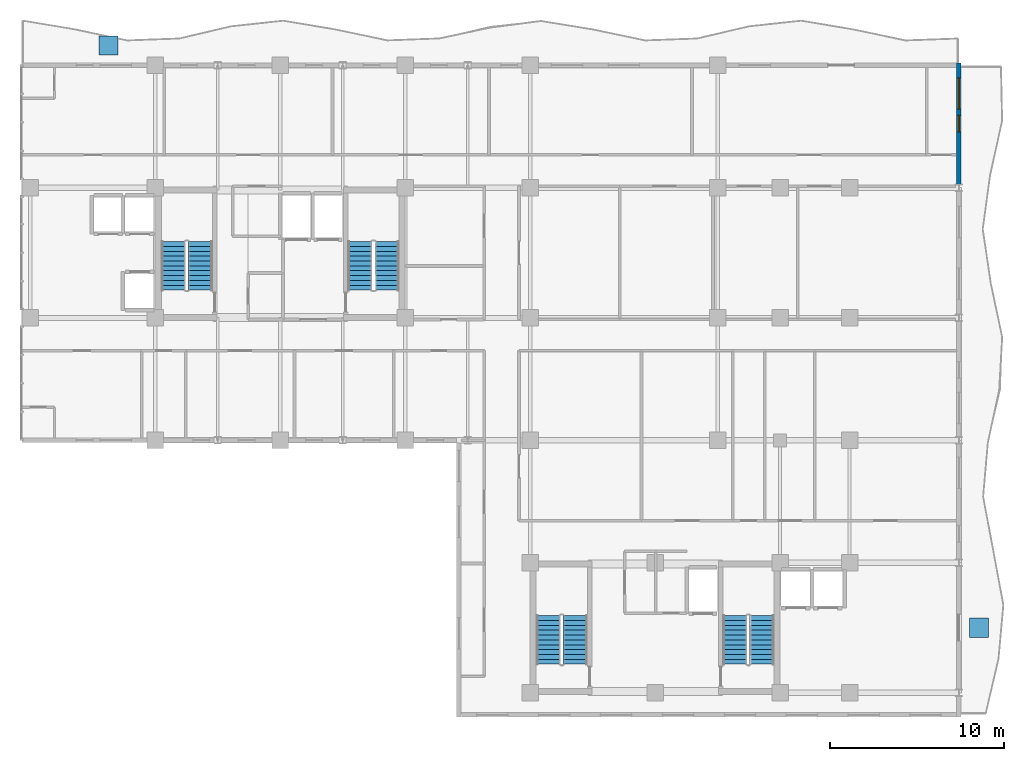
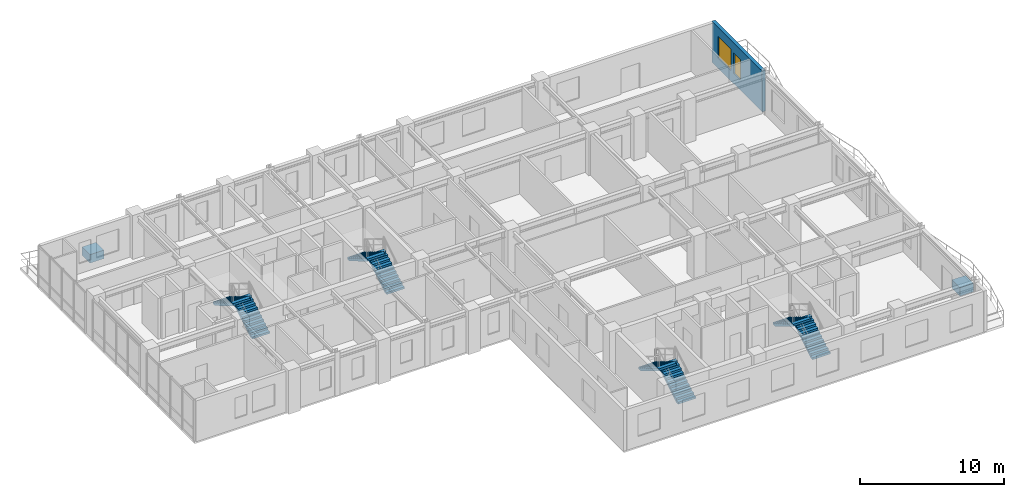
# One storey, part 17 of 20: 8 stair flights, 2 discrete accessories, 2 windows, 1 wall, 2 openings, 4 elements without a shape of their own.
"""IFC4 building model written with IfcOpenShell, lengths in metres."""

from ifc_helpers import new_model, si_unit, direction, frame, frame_2d, origin, origin_2d, place, context, subcontext, project, spatial, polyline, rectangle, outline, extrude, source, transform, mapped, material, layer, layer_set, type_object, element, fill, aggregate, save


model = new_model("IFC4")

# Units and contexts
model_context = context("Model", 3, precision=1e-05, world=origin(), true_north=direction((0.0, 1.0)))
body_context = subcontext(model_context, "Body", "Model", "MODEL_VIEW")
ifc_project = project(units=[si_unit("LENGTHUNIT", "METRE"), si_unit("AREAUNIT", "SQUARE_METRE"), si_unit("VOLUMEUNIT", "CUBIC_METRE"), si_unit("PLANEANGLEUNIT", "RADIAN"), si_unit("MASSUNIT", "GRAM", prefix="KILO")], contexts=[model_context])

# Site, building, storey
site_placement = place(None, origin())
site = spatial("IfcSite", under=ifc_project, at=site_placement, CompositionType="ELEMENT")
building_placement = place(site_placement, origin())
building = spatial("IfcBuilding", under=site, at=building_placement, Name="Kaliganga Portal Commons", CompositionType="ELEMENT")
storey_placement = place(building_placement, frame((0.0, 0.0, 216.60009765625)))
storey = spatial("IfcBuildingStorey", under=building, at=storey_placement, Name="L55", CompositionType="ELEMENT", Elevation=216.60009765625)

# Wall, openings, windows
ifc_material_1 = material(Name="Insulated Aluminium-Clad Spandrel Assembly", Category="aluminium")
ifc_layer = layer(ifc_material_1, 0.260009765625)
ifc_layer_set = layer_set([ifc_layer], Name="Insulated Aluminium-Clad Spandrel Assembly")
wall_type = type_object("IfcWallType", Name="WL-EXT-SPAND-260", PredefinedType="STANDARD", material=ifc_layer_set)
wall_placement = place(storey_placement, frame((60.699951171875, 43.330078125, 0.0), z_axis=(0.0, 0.0, 1.0), x_axis=(0.0, -1.0, 0.0)))
wall = element("IfcWall", 1, at=wall_placement, inside=storey, type_object=wall_type, Name="Exterior Envelope Wall L55 P1-E01-S6", PredefinedType="STANDARD", context=body_context, shape_type="SweptSolid", body=[
    extrude(rectangle(XDim=6.97900390625, YDim=0.260009765625, at=frame_2d((3.489501953125, 0.0))), origin(), (0.0, 0.0, 1.0), 3.449951171875),
])
opening_1_placement = place(wall_placement, frame((0.8447265625, 0.0, 0.85009765625)))
opening_1 = element("IfcOpeningElement", 2, at=opening_1_placement, cuts=wall, Name="Opening W-01", PredefinedType="OPENING", context=body_context, shape_type="SweptSolid", body=[
    extrude(rectangle(XDim=1.800048828125, YDim=1.85009765625, at=frame_2d((0.89990234375, 0.925048828125))), frame((0.0, 0.14013671875, 0.0), z_axis=(0.0, -1.0, 0.0), x_axis=(1.0, 0.0, 0.0)), (0.0, 0.0, 1.0), 0.280029296875),
])
opening_2_placement = place(wall_placement, frame((3.014404296875, 0.0, 0.85009765625)))
opening_2 = element("IfcOpeningElement", 3, at=opening_2_placement, cuts=wall, Name="Opening W-04", PredefinedType="OPENING", context=body_context, shape_type="SweptSolid", body=[
    extrude(rectangle(XDim=0.949951171875, YDim=1.75, at=frame_2d((0.47509765625, 0.875))), frame((0.0, 0.14013671875, 0.0), z_axis=(0.0, -1.0, 0.0), x_axis=(1.0, 0.0, 0.0)), (0.0, 0.0, 1.0), 0.280029296875),
])
ifc_material_2 = material(Name="Thermally Broken Aluminium and Low-E Double Glazing", Category="aluminium")
window_type_1 = type_object("IfcWindowType", Name="WIN-NARROW-950", PartitioningType="SINGLE_PANEL", PredefinedType="WINDOW", material=ifc_material_2)
window_1_placement = place(opening_2_placement, origin())
window_1 = element("IfcWindow", 4, at=window_1_placement, inside=storey, type_object=window_type_1, Name="Facade Window L55-P1E01S6-N0", OverallHeight=1.75, OverallWidth=0.949951171875, PartitioningType="SINGLE_PANEL", PredefinedType="WINDOW", context=body_context, shape_type="SweptSolid", body=[
    extrude(rectangle(XDim=0.949951171875, YDim=1.75, at=frame_2d((0.47509765625, 0.875))), frame((0.0, 0.030029296875, 0.0), z_axis=(0.0, -1.0, 0.0), x_axis=(1.0, 0.0, 0.0)), (0.0, 0.0, 1.0), 0.06005859375),
])
fill(opening_2, window_1)
window_type_2 = type_object("IfcWindowType", Name="WIN-STD-1800", PartitioningType="DOUBLE_PANEL_VERTICAL", PredefinedType="WINDOW", material=ifc_material_2)
window_2_placement = place(opening_1_placement, origin())
window_2 = element("IfcWindow", 5, at=window_2_placement, inside=storey, type_object=window_type_2, Name="Facade Window L55-P1E01S6-00", OverallHeight=1.85009765625, OverallWidth=1.800048828125, PartitioningType="SINGLE_PANEL", PredefinedType="WINDOW", context=body_context, shape_type="SweptSolid", body=[
    extrude(rectangle(XDim=1.800048828125, YDim=1.85009765625, at=frame_2d((0.89990234375, 0.925048828125))), frame((0.0, 0.030029296875, 0.0), z_axis=(0.0, -1.0, 0.0), x_axis=(1.0, 0.0, 0.0)), (0.0, 0.0, 1.0), 0.06005859375),
])
fill(opening_1, window_2)

# Stair, stair flights
ifc_material_3 = material(Name="Concrete C40/50", Category="concrete")
stair_type = type_object("IfcStairType", Name="ST-CORE-DOGLEG", PredefinedType="HALF_TURN_STAIR", material=ifc_material_3)
stair_1_placement = place(storey_placement, origin())
stair_1 = element("IfcStair", 6, at=stair_1_placement, inside=storey, type_object=stair_type, Name="L55 Protected Exit Stair ST-A1", PredefinedType="HALF_TURN_STAIR")
stair_flight_type = type_object("IfcStairFlightType", Name="STF-RC-1400", PredefinedType="STRAIGHT", material=ifc_material_3)
stair_flight_1_placement = place(storey_placement, frame((17.0, 30.25, 0.0), z_axis=(0.0, 0.0, 1.0), x_axis=(0.0, 1.0, 0.0)))
stair_flight_1 = element("IfcStairFlight", 7, at=stair_flight_1_placement, type_object=stair_flight_type, Name="ST-A1 flight 1", NumberOfRisers=11, NumberOfTreads=10, PredefinedType="STRAIGHT", RiserHeight=0.168181818, TreadLength=0.28, context=body_context, shape_type="SweptSolid", body=[
    extrude(outline(polyline([(0.0, 0.0), (0.0, 0.168212890625), (0.280029296875, 0.168212890625), (0.280029296875, 0.33642578125), (0.56005859375, 0.33642578125), (0.56005859375, 0.504638671875), (0.840087890625, 0.504638671875), (0.840087890625, 0.672607421875), (1.1201171875, 0.672607421875), (1.1201171875, 0.8408203125), (1.39990234375, 0.8408203125), (1.39990234375, 1.009033203125), (1.679931640625, 1.009033203125), (1.679931640625, 1.17724609375), (1.9599609375, 1.17724609375), (1.9599609375, 1.345458984375), (2.239990234375, 1.345458984375), (2.239990234375, 1.513671875), (2.52001953125, 1.513671875), (2.52001953125, 1.681884765625), (2.800048828125, 1.681884765625), (2.800048828125, 1.85009765625), (2.800048828125, 1.5068359375), (0.291015625, 0.0), (0.0, 0.0)])), frame((0.0, 0.699951171875, 0.0), z_axis=(0.0, -1.0, 0.0), x_axis=(1.0, 0.0, 0.0)), (0.0, 0.0, 1.0), 1.39990234375),
])
stair_flight_2_placement = place(storey_placement, frame((15.449951171875, 33.050048828125, 1.849853515625), z_axis=(0.0, 0.0, 1.0), x_axis=(0.0, -1.0, 0.0)))
stair_flight_2 = element("IfcStairFlight", 8, at=stair_flight_2_placement, type_object=stair_flight_type, Name="ST-A1 flight 2", NumberOfRisers=11, NumberOfTreads=10, PredefinedType="STRAIGHT", RiserHeight=0.168181818, TreadLength=0.28, context=body_context, shape_type="SweptSolid", body=[
    extrude(outline(polyline([(0.0, 0.0), (0.0, 0.168212890625), (0.280029296875, 0.168212890625), (0.280029296875, 0.33642578125), (0.56005859375, 0.33642578125), (0.56005859375, 0.504638671875), (0.840087890625, 0.504638671875), (0.840087890625, 0.672607421875), (1.1201171875, 0.672607421875), (1.1201171875, 0.8408203125), (1.39990234375, 0.8408203125), (1.39990234375, 1.009033203125), (1.679931640625, 1.009033203125), (1.679931640625, 1.17724609375), (1.9599609375, 1.17724609375), (1.9599609375, 1.345458984375), (2.239990234375, 1.345458984375), (2.239990234375, 1.513671875), (2.52001953125, 1.513671875), (2.52001953125, 1.681884765625), (2.800048828125, 1.681884765625), (2.800048828125, 1.85009765625), (2.800048828125, 1.5068359375), (0.291015625, 0.0), (0.0, 0.0)])), frame((0.0, 0.699951171875, 0.0), z_axis=(0.0, -1.0, 0.0), x_axis=(1.0, 0.0, 0.0)), (0.0, 0.0, 1.0), 1.39990234375),
])
aggregate(stair_1, [stair_flight_1, stair_flight_2])

stair_2_placement = place(storey_placement, origin())
stair_2 = element("IfcStair", 9, at=stair_2_placement, inside=storey, type_object=stair_type, Name="L55 Protected Exit Stair ST-A2", PredefinedType="HALF_TURN_STAIR")
stair_flight_3_placement = place(storey_placement, frame((27.75, 30.25, 0.0), z_axis=(0.0, 0.0, 1.0), x_axis=(0.0, 1.0, 0.0)))
stair_flight_3 = element("IfcStairFlight", 10, at=stair_flight_3_placement, type_object=stair_flight_type, Name="ST-A2 flight 1", NumberOfRisers=11, NumberOfTreads=10, PredefinedType="STRAIGHT", RiserHeight=0.168181818, TreadLength=0.28, context=body_context, shape_type="SweptSolid", body=[
    extrude(outline(polyline([(0.0, 0.0), (0.0, 0.168212890625), (0.280029296875, 0.168212890625), (0.280029296875, 0.33642578125), (0.56005859375, 0.33642578125), (0.56005859375, 0.504638671875), (0.840087890625, 0.504638671875), (0.840087890625, 0.672607421875), (1.1201171875, 0.672607421875), (1.1201171875, 0.8408203125), (1.39990234375, 0.8408203125), (1.39990234375, 1.009033203125), (1.679931640625, 1.009033203125), (1.679931640625, 1.17724609375), (1.9599609375, 1.17724609375), (1.9599609375, 1.345458984375), (2.239990234375, 1.345458984375), (2.239990234375, 1.513671875), (2.52001953125, 1.513671875), (2.52001953125, 1.681884765625), (2.800048828125, 1.681884765625), (2.800048828125, 1.85009765625), (2.800048828125, 1.5068359375), (0.291015625, 0.0), (0.0, 0.0)])), frame((0.0, 0.699951171875, 0.0), z_axis=(0.0, -1.0, 0.0), x_axis=(1.0, 0.0, 0.0)), (0.0, 0.0, 1.0), 1.39990234375),
])
stair_flight_4_placement = place(storey_placement, frame((26.199951171875, 33.050048828125, 1.849853515625), z_axis=(0.0, 0.0, 1.0), x_axis=(0.0, -1.0, 0.0)))
stair_flight_4 = element("IfcStairFlight", 11, at=stair_flight_4_placement, type_object=stair_flight_type, Name="ST-A2 flight 2", NumberOfRisers=11, NumberOfTreads=10, PredefinedType="STRAIGHT", RiserHeight=0.168181818, TreadLength=0.28, context=body_context, shape_type="SweptSolid", body=[
    extrude(outline(polyline([(0.0, 0.0), (0.0, 0.168212890625), (0.280029296875, 0.168212890625), (0.280029296875, 0.33642578125), (0.56005859375, 0.33642578125), (0.56005859375, 0.504638671875), (0.840087890625, 0.504638671875), (0.840087890625, 0.672607421875), (1.1201171875, 0.672607421875), (1.1201171875, 0.8408203125), (1.39990234375, 0.8408203125), (1.39990234375, 1.009033203125), (1.679931640625, 1.009033203125), (1.679931640625, 1.17724609375), (1.9599609375, 1.17724609375), (1.9599609375, 1.345458984375), (2.239990234375, 1.345458984375), (2.239990234375, 1.513671875), (2.52001953125, 1.513671875), (2.52001953125, 1.681884765625), (2.800048828125, 1.681884765625), (2.800048828125, 1.85009765625), (2.800048828125, 1.5068359375), (0.291015625, 0.0), (0.0, 0.0)])), frame((0.0, 0.699951171875, 0.0), z_axis=(0.0, -1.0, 0.0), x_axis=(1.0, 0.0, 0.0)), (0.0, 0.0, 1.0), 1.39990234375),
])
aggregate(stair_2, [stair_flight_3, stair_flight_4])

stair_3_placement = place(storey_placement, origin())
stair_3 = element("IfcStair", 12, at=stair_3_placement, inside=storey, type_object=stair_type, Name="L55 Protected Exit Stair ST-B1", PredefinedType="HALF_TURN_STAIR")
stair_flight_5_placement = place(storey_placement, frame((38.60009765625, 8.699951171875, 0.0), z_axis=(0.0, 0.0, 1.0), x_axis=(0.0, 1.0, 0.0)))
stair_flight_5 = element("IfcStairFlight", 13, at=stair_flight_5_placement, type_object=stair_flight_type, Name="ST-B1 flight 1", NumberOfRisers=11, NumberOfTreads=10, PredefinedType="STRAIGHT", RiserHeight=0.168181818, TreadLength=0.28, context=body_context, shape_type="SweptSolid", body=[
    extrude(outline(polyline([(0.0, 0.0), (0.0, 0.168212890625), (0.280029296875, 0.168212890625), (0.280029296875, 0.33642578125), (0.56005859375, 0.33642578125), (0.56005859375, 0.504638671875), (0.840087890625, 0.504638671875), (0.840087890625, 0.672607421875), (1.1201171875, 0.672607421875), (1.1201171875, 0.8408203125), (1.39990234375, 0.8408203125), (1.39990234375, 1.009033203125), (1.679931640625, 1.009033203125), (1.679931640625, 1.17724609375), (1.9599609375, 1.17724609375), (1.9599609375, 1.345458984375), (2.239990234375, 1.345458984375), (2.239990234375, 1.513671875), (2.52001953125, 1.513671875), (2.52001953125, 1.681884765625), (2.800048828125, 1.681884765625), (2.800048828125, 1.85009765625), (2.800048828125, 1.5068359375), (0.291015625, 0.0), (0.0, 0.0)])), frame((0.0, 0.699951171875, 0.0), z_axis=(0.0, -1.0, 0.0), x_axis=(1.0, 0.0, 0.0)), (0.0, 0.0, 1.0), 1.39990234375),
])
stair_flight_6_placement = place(storey_placement, frame((37.050048828125, 11.5, 1.849853515625), z_axis=(0.0, 0.0, 1.0), x_axis=(0.0, -1.0, 0.0)))
stair_flight_6 = element("IfcStairFlight", 14, at=stair_flight_6_placement, type_object=stair_flight_type, Name="ST-B1 flight 2", NumberOfRisers=11, NumberOfTreads=10, PredefinedType="STRAIGHT", RiserHeight=0.168181818, TreadLength=0.28, context=body_context, shape_type="SweptSolid", body=[
    extrude(outline(polyline([(0.0, 0.0), (0.0, 0.168212890625), (0.280029296875, 0.168212890625), (0.280029296875, 0.33642578125), (0.56005859375, 0.33642578125), (0.56005859375, 0.504638671875), (0.840087890625, 0.504638671875), (0.840087890625, 0.672607421875), (1.1201171875, 0.672607421875), (1.1201171875, 0.8408203125), (1.39990234375, 0.8408203125), (1.39990234375, 1.009033203125), (1.679931640625, 1.009033203125), (1.679931640625, 1.17724609375), (1.9599609375, 1.17724609375), (1.9599609375, 1.345458984375), (2.239990234375, 1.345458984375), (2.239990234375, 1.513671875), (2.52001953125, 1.513671875), (2.52001953125, 1.681884765625), (2.800048828125, 1.681884765625), (2.800048828125, 1.85009765625), (2.800048828125, 1.5068359375), (0.291015625, 0.0), (0.0, 0.0)])), frame((0.0, 0.699951171875, 0.0), z_axis=(0.0, -1.0, 0.0), x_axis=(1.0, 0.0, 0.0)), (0.0, 0.0, 1.0), 1.39990234375),
])
aggregate(stair_3, [stair_flight_5, stair_flight_6])

stair_4_placement = place(storey_placement, origin())
stair_4 = element("IfcStair", 15, at=stair_4_placement, inside=storey, type_object=stair_type, Name="L55 Protected Exit Stair ST-B2", PredefinedType="HALF_TURN_STAIR")
stair_flight_7_placement = place(storey_placement, frame((49.35009765625, 8.699951171875, 0.0), z_axis=(0.0, 0.0, 1.0), x_axis=(0.0, 1.0, 0.0)))
stair_flight_7 = element("IfcStairFlight", 16, at=stair_flight_7_placement, type_object=stair_flight_type, Name="ST-B2 flight 1", NumberOfRisers=11, NumberOfTreads=10, PredefinedType="STRAIGHT", RiserHeight=0.168181818, TreadLength=0.28, context=body_context, shape_type="SweptSolid", body=[
    extrude(outline(polyline([(0.0, 0.0), (0.0, 0.168212890625), (0.280029296875, 0.168212890625), (0.280029296875, 0.33642578125), (0.56005859375, 0.33642578125), (0.56005859375, 0.504638671875), (0.840087890625, 0.504638671875), (0.840087890625, 0.672607421875), (1.1201171875, 0.672607421875), (1.1201171875, 0.8408203125), (1.39990234375, 0.8408203125), (1.39990234375, 1.009033203125), (1.679931640625, 1.009033203125), (1.679931640625, 1.17724609375), (1.9599609375, 1.17724609375), (1.9599609375, 1.345458984375), (2.239990234375, 1.345458984375), (2.239990234375, 1.513671875), (2.52001953125, 1.513671875), (2.52001953125, 1.681884765625), (2.800048828125, 1.681884765625), (2.800048828125, 1.85009765625), (2.800048828125, 1.5068359375), (0.291015625, 0.0), (0.0, 0.0)])), frame((0.0, 0.699951171875, 0.0), z_axis=(0.0, -1.0, 0.0), x_axis=(1.0, 0.0, 0.0)), (0.0, 0.0, 1.0), 1.39990234375),
])
stair_flight_8_placement = place(storey_placement, frame((47.800048828125, 11.5, 1.849853515625), z_axis=(0.0, 0.0, 1.0), x_axis=(0.0, -1.0, 0.0)))
stair_flight_8 = element("IfcStairFlight", 17, at=stair_flight_8_placement, type_object=stair_flight_type, Name="ST-B2 flight 2", NumberOfRisers=11, NumberOfTreads=10, PredefinedType="STRAIGHT", RiserHeight=0.168181818, TreadLength=0.28, context=body_context, shape_type="SweptSolid", body=[
    extrude(outline(polyline([(0.0, 0.0), (0.0, 0.168212890625), (0.280029296875, 0.168212890625), (0.280029296875, 0.33642578125), (0.56005859375, 0.33642578125), (0.56005859375, 0.504638671875), (0.840087890625, 0.504638671875), (0.840087890625, 0.672607421875), (1.1201171875, 0.672607421875), (1.1201171875, 0.8408203125), (1.39990234375, 0.8408203125), (1.39990234375, 1.009033203125), (1.679931640625, 1.009033203125), (1.679931640625, 1.17724609375), (1.9599609375, 1.17724609375), (1.9599609375, 1.345458984375), (2.239990234375, 1.345458984375), (2.239990234375, 1.513671875), (2.52001953125, 1.513671875), (2.52001953125, 1.681884765625), (2.800048828125, 1.681884765625), (2.800048828125, 1.85009765625), (2.800048828125, 1.5068359375), (0.291015625, 0.0), (0.0, 0.0)])), frame((0.0, 0.699951171875, 0.0), z_axis=(0.0, -1.0, 0.0), x_axis=(1.0, 0.0, 0.0)), (0.0, 0.0, 1.0), 1.39990234375),
])
aggregate(stair_4, [stair_flight_7, stair_flight_8])

# Discrete accessories
ifc_material_4 = material(Name="Precast concrete C40/50", Category="concrete")
discrete_accessory_type = type_object("IfcDiscreteAccessoryType", Name="DAC-PLANTER-RC", PredefinedType="USERDEFINED", material=ifc_material_4)
shared_shape = source(origin(), body_context, "Body", "SweptSolid", [
    extrude(rectangle(XDim=1.10009765625, YDim=1.10009765625, at=origin_2d()), origin(), (0.0, 0.0, 1.0), 0.719970703125),
])
for number, where, z_axis, x_axis, name in (
    (18, (11.699951171875, 44.35009765625, 0.0), (0.0, 0.0, 1.0), (1.0, 0.0, 0.0), "Structural Tree Planter L55 balc_north"),
    (19, (61.85009765625, 10.800048828125, 0.0), (0.0, 0.0, 1.0), (1.0, 0.0, 0.0), "Structural Tree Planter L55 balc_east"),
):
    element("IfcDiscreteAccessory", number, at=place(storey_placement, frame(where, z_axis=z_axis, x_axis=x_axis)), inside=storey, type_object=discrete_accessory_type, Name=name, ObjectType="PLANTER", PredefinedType="USERDEFINED", context=body_context, shape_type="MappedRepresentation", body=[
        mapped(shared_shape, transform((0.0, 0.0, 0.0), x_axis=(1.0, 0.0, 0.0), y_axis=(0.0, 1.0, 0.0), z_axis=(0.0, 0.0, 1.0), scale=1.0)),
    ])

save(model, "model.ifc")
